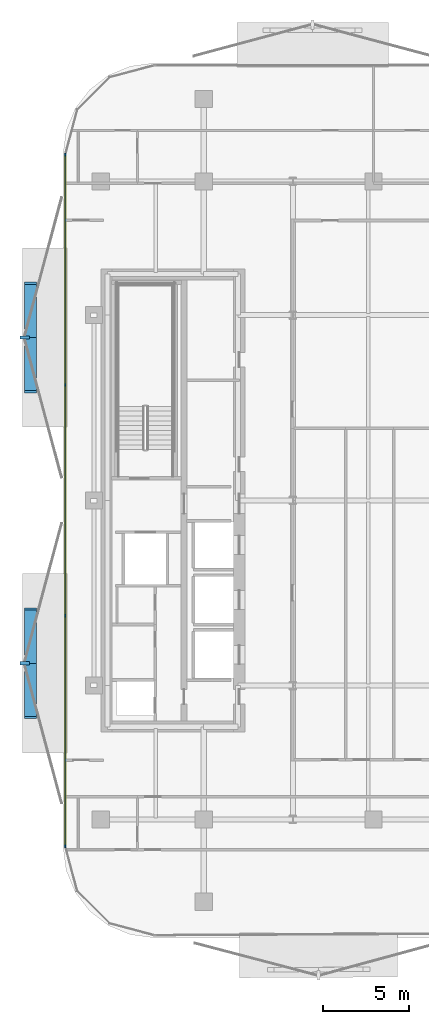
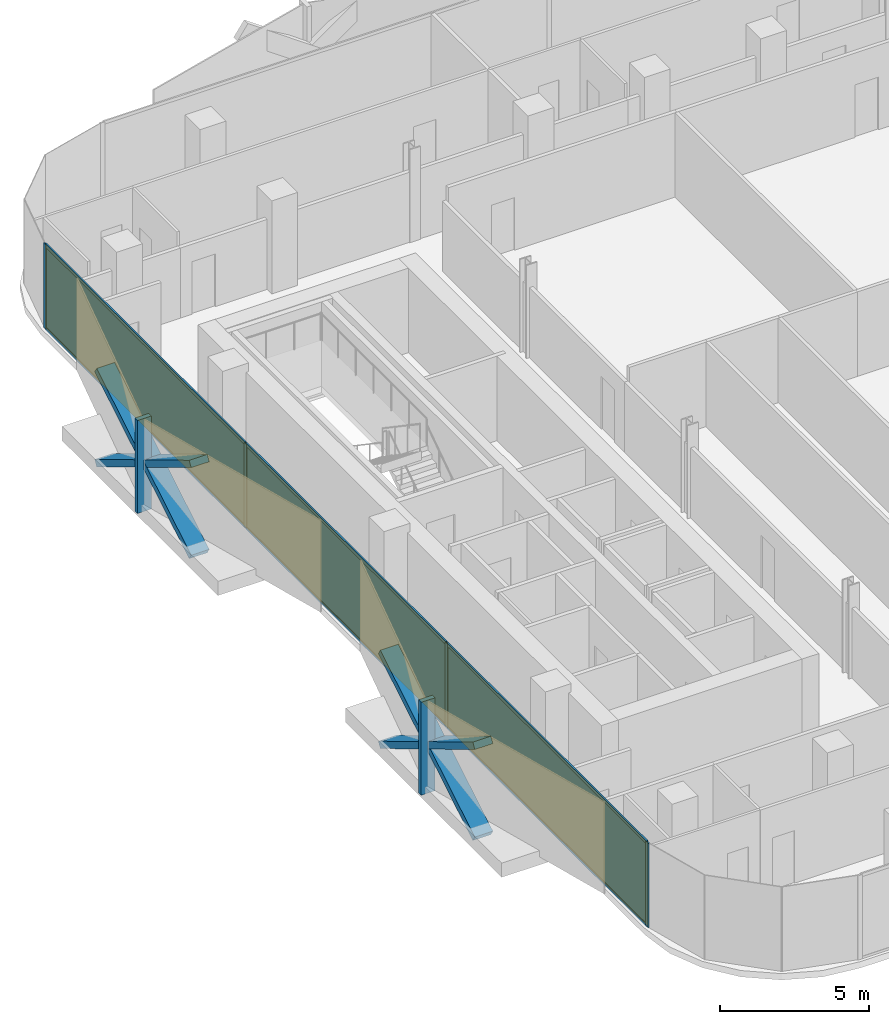
# One storey, part 10 of 17: 16 members, 3 plates, 1 curtain wall.
"""IFC4 building model written with IfcOpenShell, lengths in metres."""

from ifc_helpers import new_model, si_unit, direction, frame, frame_2d, origin, origin_2d, place, context, subcontext, project, spatial, rectangle, extrude, material, layer, layer_set, material_profile, profile_set, type_object, element, aggregate, save


model = new_model("IFC4")

# Units and contexts
model_context = context("Model", 3, precision=1e-05, world=origin(), true_north=direction((0.0, 1.0)))
body_context = subcontext(model_context, "Body", "Model", "MODEL_VIEW")
ifc_project = project(units=[si_unit("LENGTHUNIT", "METRE"), si_unit("AREAUNIT", "SQUARE_METRE"), si_unit("VOLUMEUNIT", "CUBIC_METRE"), si_unit("PLANEANGLEUNIT", "RADIAN"), si_unit("MASSUNIT", "GRAM", prefix="KILO")], contexts=[model_context])

# Member
ifc_material_1 = material(Name="Anodised Bronze Aluminium 6063-T6", Category="aluminium")
ifc_material_profile_1 = material_profile(ifc_material_1, rectangle(XDim=0.260009765625, YDim=0.699951171875, at=origin_2d()))
ifc_profile_set_1 = profile_set([ifc_material_profile_1], Name="Anodised Bronze Aluminium 6063-T6")
member_type_1 = type_object("IfcMemberType", Name="Bronze Diamond Solar-Screen Lattice Rib BDL-700", PredefinedType="MULLION", material=ifc_profile_set_1)
site_placement = place(None, origin())
building_placement = place(site_placement, origin())
storey_placement = place(building_placement, frame((0.0, 0.0, 210.60009765625)))
member_1_placement = place(storey_placement, frame((-24.5, -12.660400390625, -0.130126953125), z_axis=(0.0, 0.85737327611, 0.514695118893), x_axis=(0.0, -0.514695118893, 0.85737327611)))
member_1 = element("IfcMember", 1, at=member_1_placement, type_object=member_type_1, Name="L49 Bronze Diamond Solar Screen Lattice Rib 331A", PredefinedType="MULLION", context=body_context, shape_type="SweptSolid", body=[
    extrude(rectangle(XDim=0.260009765625, YDim=0.699951171875, at=origin_2d()), origin(), (0.0, 0.0, 1.0), 7.383056640625),
])

member_2_placement = place(storey_placement, frame((-24.5, -6.330322265625, -0.130126953125), z_axis=(0.0, -0.85737327611, 0.514695118893), x_axis=(0.0, 0.514695118893, 0.85737327611)))
member_2 = element("IfcMember", 2, at=member_2_placement, type_object=member_type_1, Name="L49 Bronze Diamond Solar Screen Lattice Rib 331B", PredefinedType="MULLION", context=body_context, shape_type="SweptSolid", body=[
    extrude(rectangle(XDim=0.260009765625, YDim=0.699951171875, at=origin_2d()), origin(), (0.0, 0.0, 1.0), 7.383056640625),
])

member_3_placement = place(storey_placement, frame((-24.5, 6.330322265625, -0.130126953125), z_axis=(0.0, 0.85737327611, 0.514695118893), x_axis=(0.0, -0.514695118893, 0.85737327611)))
member_3 = element("IfcMember", 3, at=member_3_placement, type_object=member_type_1, Name="L49 Bronze Diamond Solar Screen Lattice Rib 332A", PredefinedType="MULLION", context=body_context, shape_type="SweptSolid", body=[
    extrude(rectangle(XDim=0.260009765625, YDim=0.699951171875, at=origin_2d()), origin(), (0.0, 0.0, 1.0), 7.383056640625),
])

member_4_placement = place(storey_placement, frame((-24.5, 12.660400390625, -0.130126953125), z_axis=(0.0, -0.85737327611, 0.514695118893), x_axis=(0.0, 0.514695118893, 0.85737327611)))
member_4 = element("IfcMember", 4, at=member_4_placement, type_object=member_type_1, Name="L49 Bronze Diamond Solar Screen Lattice Rib 332B", PredefinedType="MULLION", context=body_context, shape_type="SweptSolid", body=[
    extrude(rectangle(XDim=0.260009765625, YDim=0.699951171875, at=origin_2d()), origin(), (0.0, 0.0, 1.0), 7.383056640625),
])

ifc_material_2 = material(Name="Anodised Bronze Aluminium 6063-T6", Category="aluminium")
ifc_material_profile_2 = material_profile(ifc_material_2, rectangle(XDim=0.179931640625, YDim=0.5400390625, at=origin_2d()))
ifc_profile_set_2 = profile_set([ifc_material_profile_2], Name="Anodised Bronze Aluminium 6063-T6")
member_type_2 = type_object("IfcMemberType", Name="Bronze Solar-Screen Vertical Fold Fin BSF-540", PredefinedType="MULLION", material=ifc_profile_set_2)
member_5_placement = place(storey_placement, frame((-24.840087890625, -9.495361328125, -0.130126953125), z_axis=(0.0, 0.0, 1.0), x_axis=(0.0, 1.0, 0.0)))
member_5 = element("IfcMember", 5, at=member_5_placement, type_object=member_type_2, Name="L49 Bronze Solar Screen Vertical Fin 331", PredefinedType="MULLION", context=body_context, shape_type="SweptSolid", body=[
    extrude(rectangle(XDim=0.179931640625, YDim=0.5400390625, at=origin_2d()), origin(), (0.0, 0.0, 1.0), 3.800048828125),
])

member_6_placement = place(storey_placement, frame((-24.840087890625, 9.495361328125, -0.130126953125), z_axis=(0.0, 0.0, 1.0), x_axis=(0.0, 1.0, 0.0)))
member_6 = element("IfcMember", 6, at=member_6_placement, type_object=member_type_2, Name="L49 Bronze Solar Screen Vertical Fin 332", PredefinedType="MULLION", context=body_context, shape_type="SweptSolid", body=[
    extrude(rectangle(XDim=0.179931640625, YDim=0.5400390625, at=origin_2d()), origin(), (0.0, 0.0, 1.0), 3.800048828125),
])

ifc_material_3 = material(Name="Anodised Bronze Aluminium 6063-T6", Category="aluminium")
ifc_material_profile_3 = material_profile(ifc_material_3, rectangle(XDim=0.06005859375, YDim=0.1650390625, at=origin_2d()))
ifc_profile_set_3 = profile_set([ifc_material_profile_3], Name="Anodised Bronze Aluminium 6063-T6")
member_type_3 = type_object("IfcMemberType", Name="CW-Z3 Mullion 60x165", PredefinedType="MULLION", material=ifc_profile_set_3)
member_7_placement = place(storey_placement, frame((-22.4599609375, -20.160888671875, 0.0), z_axis=(0.0, 0.0, 1.0), x_axis=(-1.0, 0.0, 0.0)))
member_7 = element("IfcMember", 7, at=member_7_placement, type_object=member_type_3, Name="CW-Z3 mullion 1", PredefinedType="MULLION", context=body_context, shape_type="SweptSolid", body=[
    extrude(rectangle(XDim=0.06005859375, YDim=0.1650390625, at=origin_2d()), origin(), (0.0, 0.0, 1.0), 3.449951171875),
])

member_8_placement = place(storey_placement, frame((-22.4599609375, -6.730224609375, 0.0), z_axis=(0.0, 0.0, 1.0), x_axis=(-1.0, 0.0, 0.0)))
member_8 = element("IfcMember", 8, at=member_8_placement, type_object=member_type_3, Name="CW-Z3 mullion 2", PredefinedType="MULLION", context=body_context, shape_type="SweptSolid", body=[
    extrude(rectangle(XDim=0.06005859375, YDim=0.1650390625, at=origin_2d()), origin(), (0.0, 0.0, 1.0), 3.449951171875),
])

member_9_placement = place(storey_placement, frame((-22.4599609375, 6.730224609375, 0.0), z_axis=(0.0, 0.0, 1.0), x_axis=(-1.0, 0.0, 0.0)))
member_9 = element("IfcMember", 9, at=member_9_placement, type_object=member_type_3, Name="CW-Z3 mullion 3", PredefinedType="MULLION", context=body_context, shape_type="SweptSolid", body=[
    extrude(rectangle(XDim=0.06005859375, YDim=0.1650390625, at=origin_2d()), origin(), (0.0, 0.0, 1.0), 3.449951171875),
])

member_10_placement = place(storey_placement, frame((-22.4599609375, 20.160888671875, 0.0), z_axis=(0.0, 0.0, 1.0), x_axis=(-1.0, 0.0, 0.0)))
member_10 = element("IfcMember", 10, at=member_10_placement, type_object=member_type_3, Name="CW-Z3 mullion 4", PredefinedType="MULLION", context=body_context, shape_type="SweptSolid", body=[
    extrude(rectangle(XDim=0.06005859375, YDim=0.1650390625, at=origin_2d()), origin(), (0.0, 0.0, 1.0), 3.449951171875),
])

ifc_material_4 = material(Name="Anodised Bronze Aluminium 6063-T6", Category="aluminium")
ifc_material_profile_4 = material_profile(ifc_material_4, rectangle(XDim=0.06005859375, YDim=0.1298828125, at=origin_2d()))
ifc_profile_set_4 = profile_set([ifc_material_profile_4], Name="Anodised Bronze Aluminium 6063-T6")
member_type_4 = type_object("IfcMemberType", Name="CW-Z3 Transom 60x130", PredefinedType="USERDEFINED", material=ifc_profile_set_4)
member_11_placement = place(storey_placement, frame((-22.4599609375, -20.130859375, 0.02978515625), z_axis=(0.0, 1.0, 0.0), x_axis=(-1.0, 0.0, 0.0)))
member_11 = element("IfcMember", 11, at=member_11_placement, type_object=member_type_4, Name="CW-Z3 transom 1.1", ObjectType="TRANSOM", PredefinedType="USERDEFINED", context=body_context, shape_type="SweptSolid", body=[
    extrude(rectangle(XDim=0.06005859375, YDim=0.1298828125, at=origin_2d()), origin(), (0.0, 0.0, 1.0), 13.37060546875),
])

member_12_placement = place(storey_placement, frame((-22.4599609375, -20.130859375, 3.419921875), z_axis=(0.0, 1.0, 0.0), x_axis=(-1.0, 0.0, 0.0)))
member_12 = element("IfcMember", 12, at=member_12_placement, type_object=member_type_4, Name="CW-Z3 transom 1.2", ObjectType="TRANSOM", PredefinedType="USERDEFINED", context=body_context, shape_type="SweptSolid", body=[
    extrude(rectangle(XDim=0.06005859375, YDim=0.1298828125, at=origin_2d()), origin(), (0.0, 0.0, 1.0), 13.37060546875),
])

member_13_placement = place(storey_placement, frame((-22.4599609375, -6.7001953125, 0.02978515625), z_axis=(0.0, 1.0, 0.0), x_axis=(-1.0, 0.0, 0.0)))
member_13 = element("IfcMember", 13, at=member_13_placement, type_object=member_type_4, Name="CW-Z3 transom 2.1", ObjectType="TRANSOM", PredefinedType="USERDEFINED", context=body_context, shape_type="SweptSolid", body=[
    extrude(rectangle(XDim=0.06005859375, YDim=0.1298828125, at=origin_2d()), origin(), (0.0, 0.0, 1.0), 13.400390625),
])

member_14_placement = place(storey_placement, frame((-22.4599609375, -6.7001953125, 3.419921875), z_axis=(0.0, 1.0, 0.0), x_axis=(-1.0, 0.0, 0.0)))
member_14 = element("IfcMember", 14, at=member_14_placement, type_object=member_type_4, Name="CW-Z3 transom 2.2", ObjectType="TRANSOM", PredefinedType="USERDEFINED", context=body_context, shape_type="SweptSolid", body=[
    extrude(rectangle(XDim=0.06005859375, YDim=0.1298828125, at=origin_2d()), origin(), (0.0, 0.0, 1.0), 13.400390625),
])

member_15_placement = place(storey_placement, frame((-22.4599609375, 6.76025390625, 0.02978515625), z_axis=(0.0, 1.0, 0.0), x_axis=(-1.0, 0.0, 0.0)))
member_15 = element("IfcMember", 15, at=member_15_placement, type_object=member_type_4, Name="CW-Z3 transom 3.1", ObjectType="TRANSOM", PredefinedType="USERDEFINED", context=body_context, shape_type="SweptSolid", body=[
    extrude(rectangle(XDim=0.06005859375, YDim=0.1298828125, at=origin_2d()), origin(), (0.0, 0.0, 1.0), 13.37060546875),
])

member_16_placement = place(storey_placement, frame((-22.4599609375, 6.76025390625, 3.419921875), z_axis=(0.0, 1.0, 0.0), x_axis=(-1.0, 0.0, 0.0)))
member_16 = element("IfcMember", 16, at=member_16_placement, type_object=member_type_4, Name="CW-Z3 transom 3.2", ObjectType="TRANSOM", PredefinedType="USERDEFINED", context=body_context, shape_type="SweptSolid", body=[
    extrude(rectangle(XDim=0.06005859375, YDim=0.1298828125, at=origin_2d()), origin(), (0.0, 0.0, 1.0), 13.37060546875),
])

# Plate
ifc_material_5 = material(Name="Low-E Solar Control Laminated Glass", Category="glass")
ifc_layer_1 = layer(ifc_material_5, 0.030029296875, Name="Low-E Solar Control Laminated Glass")
ifc_layer_set_1 = layer_set([ifc_layer_1], Name="Low-E Solar Control Laminated Glass")
plate_type = type_object("IfcPlateType", Name="CW-Z3 Low-E Double Glazed Panel 30mm", PredefinedType="CURTAIN_PANEL", material=ifc_layer_set_1)
plate_1_placement = place(storey_placement, frame((-22.4599609375, -13.445556640625, 0.059814453125), z_axis=(0.0, 0.0, 1.0), x_axis=(0.0, 1.0, 0.0)))
plate_1 = element("IfcPlate", 17, at=plate_1_placement, type_object=plate_type, Name="CW-Z3 panel 1.1", PredefinedType="CURTAIN_PANEL", context=body_context, shape_type="SweptSolid", body=[
    extrude(rectangle(XDim=13.37060546875, YDim=0.030029296875, at=origin_2d()), origin(), (0.0, 0.0, 1.0), 3.330078125),
])

plate_2_placement = place(storey_placement, frame((-22.4599609375, 0.0, 0.059814453125), z_axis=(0.0, 0.0, 1.0), x_axis=(0.0, 1.0, 0.0)))
plate_2 = element("IfcPlate", 18, at=plate_2_placement, type_object=plate_type, Name="CW-Z3 panel 2.1", PredefinedType="CURTAIN_PANEL", context=body_context, shape_type="SweptSolid", body=[
    extrude(rectangle(XDim=13.400634765625, YDim=0.030029296875, at=origin_2d()), origin(), (0.0, 0.0, 1.0), 3.330078125),
])

plate_3_placement = place(storey_placement, frame((-22.4599609375, 13.445556640625, 0.059814453125), z_axis=(0.0, 0.0, 1.0), x_axis=(0.0, 1.0, 0.0)))
plate_3 = element("IfcPlate", 19, at=plate_3_placement, type_object=plate_type, Name="CW-Z3 panel 3.1", PredefinedType="CURTAIN_PANEL", context=body_context, shape_type="SweptSolid", body=[
    extrude(rectangle(XDim=13.37060546875, YDim=0.030029296875, at=origin_2d()), origin(), (0.0, 0.0, 1.0), 3.330078125),
])

# Site, building, storey
site = spatial("IfcSite", under=ifc_project, at=site_placement, CompositionType="ELEMENT")
building = spatial("IfcBuilding", under=site, at=building_placement, Name="Khairoan Windgate Tower", CompositionType="ELEMENT")
storey = spatial("IfcBuildingStorey", under=building, at=storey_placement, Name="L49", CompositionType="ELEMENT", Elevation=210.60009765625)

# Curtain wall
ifc_material_6 = material(Name="Anodised Bronze Aluminium 6063-T6", Category="aluminium")
ifc_layer_2 = layer(ifc_material_6, 0.1650390625, Name="Anodised Bronze Aluminium 6063-T6")
ifc_layer_set_2 = layer_set([ifc_layer_2], Name="Anodised Bronze Aluminium 6063-T6")
curtain_wall_type = type_object("IfcCurtainWallType", Name="Luxury Hotel Acoustic Curtain Wall CW-Z3", PredefinedType="NOTDEFINED", material=ifc_layer_set_2)
curtain_wall_placement = place(storey_placement, frame((-22.4599609375, -20.19091796875, 0.0), z_axis=(0.0, 0.0, 1.0), x_axis=(0.0, 1.0, 0.0)))
curtain_wall = element("IfcCurtainWall", 20, at=curtain_wall_placement, inside=storey, type_object=curtain_wall_type, Name="L49 Unitised Curtain Wall 5", PredefinedType="NOTDEFINED", context=body_context, shape_type="SweptSolid", body=[
    extrude(rectangle(XDim=40.3818359375, YDim=0.010009765625, at=frame_2d((20.19091796875, 0.0))), origin(), (0.0, 0.0, 1.0), 3.449951171875),
])

aggregate(curtain_wall, [member_7, member_8, member_9, member_10, member_11, member_12, plate_1, member_13, member_14, plate_2, member_15, member_16, plate_3, member_1, member_2, member_5, member_3, member_4, member_6])

save(model, "model.ifc")
